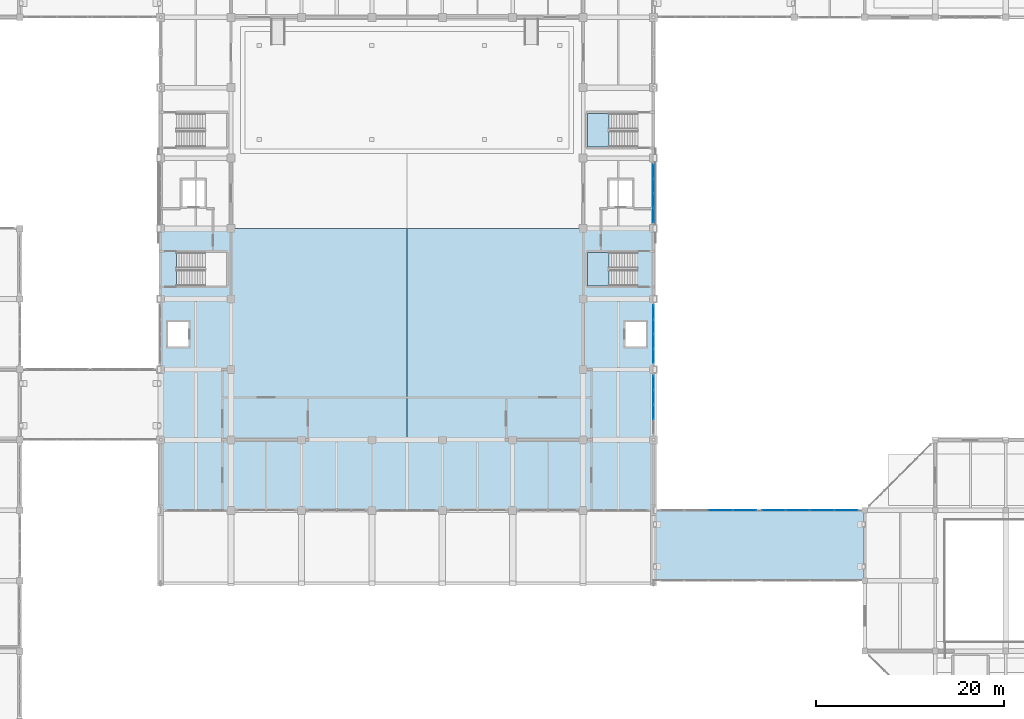
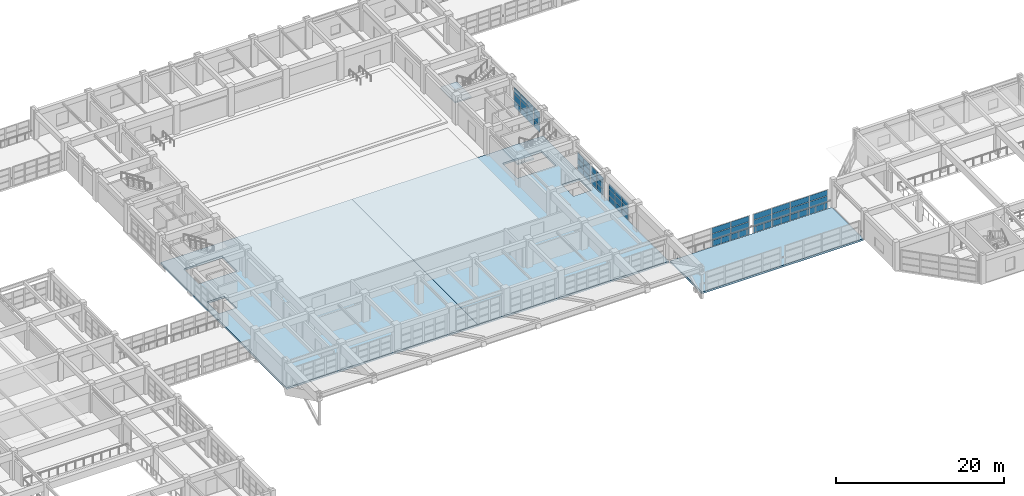
# One storey, part 87 of 132: 51 plates, 5 slabs, 7 elements without a shape of their own.
"""IFC4 building model written with IfcOpenShell, lengths in metres."""

from ifc_helpers import new_model, si_unit, direction, frame, origin, origin_2d, place, context, subcontext, project, spatial, polyline, rectangle, outline, extrude, material, layer, layer_set, type_object, element, aggregate, save


model = new_model("IFC4")

# Units and contexts
model_context = context("Model", 3, precision=1e-05, world=origin(), true_north=direction((0.0, 1.0)))
body_context = subcontext(model_context, "Body", "Model", "MODEL_VIEW")
ifc_project = project(units=[si_unit("LENGTHUNIT", "METRE"), si_unit("AREAUNIT", "SQUARE_METRE"), si_unit("VOLUMEUNIT", "CUBIC_METRE"), si_unit("PLANEANGLEUNIT", "RADIAN"), si_unit("MASSUNIT", "GRAM", prefix="KILO")], contexts=[model_context])

# Site, building, storey
site_placement = place(None, origin())
site = spatial("IfcSite", under=ifc_project, at=site_placement, CompositionType="ELEMENT")
building_placement = place(site_placement, origin())
building = spatial("IfcBuilding", under=site, at=building_placement, Name="Qasida Concert Hall", CompositionType="ELEMENT")
storey_placement = place(building_placement, frame((0.0, 0.0, 4.800048828125)))
storey = spatial("IfcBuildingStorey", under=building, at=storey_placement, Name="L01", CompositionType="ELEMENT", Elevation=4.800048828125)

# Curtain wall, plates
ifc_material_1 = material(Name="Architectural bronze-anodized aluminium and low-E glass", Category="aluminium")
curtain_wall_type_1 = type_object("IfcCurtainWallType", Name="CW-02", PredefinedType="NOTDEFINED", material=ifc_material_1)
curtain_wall_1_placement = place(storey_placement, origin())
curtain_wall_1 = element("IfcCurtainWall", 1, at=curtain_wall_1_placement, inside=storey, type_object=curtain_wall_type_1, Name="L01 curtain wall CW-02 0041", PredefinedType="NOTDEFINED")
ifc_material_2 = material(Name="Solar-control low-E double glazing", Category="glass")
ifc_layer_1 = layer(ifc_material_2, 0.035888671875, Name="Solar-control low-E double glazing")
ifc_layer_set_1 = layer_set([ifc_layer_1], Name="Solar-control low-E double glazing")
plate_type_1 = type_object("IfcPlateType", Name="PLT-CWP-1", PredefinedType="CURTAIN_PANEL", material=ifc_layer_set_1)
plate_1_placement = place(storey_placement, frame((105.0, 32.967529296875, 0.06494140625), z_axis=(0.0, 0.0, 1.0), x_axis=(0.0, 1.0, 0.0)))
plate_1 = element("IfcPlate", 2, at=plate_1_placement, type_object=plate_type_1, Name="CW-02 panel 2.1", PredefinedType="CURTAIN_PANEL", context=body_context, shape_type="SweptSolid", body=[
    extrude(rectangle(XDim=1.4951171875, YDim=0.035888671875, at=origin_2d()), origin(), (0.0, 0.0, 1.0), 0.79931640625),
])
plate_2_placement = place(storey_placement, frame((105.0, 32.967529296875, 0.92919921875), z_axis=(0.0, 0.0, 1.0), x_axis=(0.0, 1.0, 0.0)))
plate_2 = element("IfcPlate", 3, at=plate_2_placement, type_object=plate_type_1, Name="CW-02 panel 2.2", PredefinedType="CURTAIN_PANEL", context=body_context, shape_type="SweptSolid", body=[
    extrude(rectangle(XDim=1.4951171875, YDim=0.035888671875, at=origin_2d()), origin(), (0.0, 0.0, 1.0), 0.83154296875),
])
plate_3_placement = place(storey_placement, frame((105.0, 32.967529296875, 1.82568359375), z_axis=(0.0, 0.0, 1.0), x_axis=(0.0, 1.0, 0.0)))
plate_3 = element("IfcPlate", 4, at=plate_3_placement, type_object=plate_type_1, Name="CW-02 panel 2.3", PredefinedType="CURTAIN_PANEL", context=body_context, shape_type="SweptSolid", body=[
    extrude(rectangle(XDim=1.4951171875, YDim=0.035888671875, at=origin_2d()), origin(), (0.0, 0.0, 1.0), 0.79931640625),
])
plate_4_placement = place(storey_placement, frame((105.0, 34.532470703125, 0.06494140625), z_axis=(0.0, 0.0, 1.0), x_axis=(0.0, 1.0, 0.0)))
plate_4 = element("IfcPlate", 5, at=plate_4_placement, type_object=plate_type_1, Name="CW-02 panel 3.1", PredefinedType="CURTAIN_PANEL", context=body_context, shape_type="SweptSolid", body=[
    extrude(rectangle(XDim=1.4951171875, YDim=0.035888671875, at=origin_2d()), origin(), (0.0, 0.0, 1.0), 0.79931640625),
])
plate_5_placement = place(storey_placement, frame((105.0, 34.532470703125, 0.92919921875), z_axis=(0.0, 0.0, 1.0), x_axis=(0.0, 1.0, 0.0)))
plate_5 = element("IfcPlate", 6, at=plate_5_placement, type_object=plate_type_1, Name="CW-02 panel 3.2", PredefinedType="CURTAIN_PANEL", context=body_context, shape_type="SweptSolid", body=[
    extrude(rectangle(XDim=1.4951171875, YDim=0.035888671875, at=origin_2d()), origin(), (0.0, 0.0, 1.0), 0.83154296875),
])
plate_6_placement = place(storey_placement, frame((105.0, 34.532470703125, 1.82568359375), z_axis=(0.0, 0.0, 1.0), x_axis=(0.0, 1.0, 0.0)))
plate_6 = element("IfcPlate", 7, at=plate_6_placement, type_object=plate_type_1, Name="CW-02 panel 3.3", PredefinedType="CURTAIN_PANEL", context=body_context, shape_type="SweptSolid", body=[
    extrude(rectangle(XDim=1.4951171875, YDim=0.035888671875, at=origin_2d()), origin(), (0.0, 0.0, 1.0), 0.79931640625),
])
plate_7_placement = place(storey_placement, frame((105.0, 36.080078125, 0.06494140625), z_axis=(0.0, 0.0, 1.0), x_axis=(0.0, 1.0, 0.0)))
plate_7 = element("IfcPlate", 8, at=plate_7_placement, type_object=plate_type_1, Name="CW-02 panel 4.1", PredefinedType="CURTAIN_PANEL", context=body_context, shape_type="SweptSolid", body=[
    extrude(rectangle(XDim=1.4599609375, YDim=0.035888671875, at=origin_2d()), origin(), (0.0, 0.0, 1.0), 0.79931640625),
])
plate_8_placement = place(storey_placement, frame((105.0, 36.080078125, 0.92919921875), z_axis=(0.0, 0.0, 1.0), x_axis=(0.0, 1.0, 0.0)))
plate_8 = element("IfcPlate", 9, at=plate_8_placement, type_object=plate_type_1, Name="CW-02 panel 4.2", PredefinedType="CURTAIN_PANEL", context=body_context, shape_type="SweptSolid", body=[
    extrude(rectangle(XDim=1.4599609375, YDim=0.035888671875, at=origin_2d()), origin(), (0.0, 0.0, 1.0), 0.83154296875),
])
plate_9_placement = place(storey_placement, frame((105.0, 36.080078125, 1.82568359375), z_axis=(0.0, 0.0, 1.0), x_axis=(0.0, 1.0, 0.0)))
plate_9 = element("IfcPlate", 10, at=plate_9_placement, type_object=plate_type_1, Name="CW-02 panel 4.3", PredefinedType="CURTAIN_PANEL", context=body_context, shape_type="SweptSolid", body=[
    extrude(rectangle(XDim=1.4599609375, YDim=0.035888671875, at=origin_2d()), origin(), (0.0, 0.0, 1.0), 0.79931640625),
])
aggregate(curtain_wall_1, [plate_1, plate_2, plate_3, plate_4, plate_5, plate_6, plate_7, plate_8, plate_9])

curtain_wall_2_placement = place(storey_placement, origin())
curtain_wall_2 = element("IfcCurtainWall", 11, at=curtain_wall_2_placement, inside=storey, type_object=curtain_wall_type_1, Name="L01 curtain wall CW-02 0043", PredefinedType="NOTDEFINED")
plate_10_placement = place(storey_placement, frame((105.0, 38.919921875, 0.06494140625), z_axis=(0.0, 0.0, 1.0), x_axis=(0.0, 1.0, 0.0)))
plate_10 = element("IfcPlate", 12, at=plate_10_placement, type_object=plate_type_1, Name="CW-02 panel 1.1", PredefinedType="CURTAIN_PANEL", context=body_context, shape_type="SweptSolid", body=[
    extrude(rectangle(XDim=1.4599609375, YDim=0.035888671875, at=origin_2d()), origin(), (0.0, 0.0, 1.0), 0.79931640625),
])
plate_11_placement = place(storey_placement, frame((105.0, 38.919921875, 0.92919921875), z_axis=(0.0, 0.0, 1.0), x_axis=(0.0, 1.0, 0.0)))
plate_11 = element("IfcPlate", 13, at=plate_11_placement, type_object=plate_type_1, Name="CW-02 panel 1.2", PredefinedType="CURTAIN_PANEL", context=body_context, shape_type="SweptSolid", body=[
    extrude(rectangle(XDim=1.4599609375, YDim=0.035888671875, at=origin_2d()), origin(), (0.0, 0.0, 1.0), 0.83154296875),
])
plate_12_placement = place(storey_placement, frame((105.0, 38.919921875, 1.82568359375), z_axis=(0.0, 0.0, 1.0), x_axis=(0.0, 1.0, 0.0)))
plate_12 = element("IfcPlate", 14, at=plate_12_placement, type_object=plate_type_1, Name="CW-02 panel 1.3", PredefinedType="CURTAIN_PANEL", context=body_context, shape_type="SweptSolid", body=[
    extrude(rectangle(XDim=1.4599609375, YDim=0.035888671875, at=origin_2d()), origin(), (0.0, 0.0, 1.0), 0.79931640625),
])
plate_13_placement = place(storey_placement, frame((105.0, 40.467529296875, 0.06494140625), z_axis=(0.0, 0.0, 1.0), x_axis=(0.0, 1.0, 0.0)))
plate_13 = element("IfcPlate", 15, at=plate_13_placement, type_object=plate_type_1, Name="CW-02 panel 2.1", PredefinedType="CURTAIN_PANEL", context=body_context, shape_type="SweptSolid", body=[
    extrude(rectangle(XDim=1.4951171875, YDim=0.035888671875, at=origin_2d()), origin(), (0.0, 0.0, 1.0), 0.79931640625),
])
plate_14_placement = place(storey_placement, frame((105.0, 40.467529296875, 0.92919921875), z_axis=(0.0, 0.0, 1.0), x_axis=(0.0, 1.0, 0.0)))
plate_14 = element("IfcPlate", 16, at=plate_14_placement, type_object=plate_type_1, Name="CW-02 panel 2.2", PredefinedType="CURTAIN_PANEL", context=body_context, shape_type="SweptSolid", body=[
    extrude(rectangle(XDim=1.4951171875, YDim=0.035888671875, at=origin_2d()), origin(), (0.0, 0.0, 1.0), 0.83154296875),
])
plate_15_placement = place(storey_placement, frame((105.0, 40.467529296875, 1.82568359375), z_axis=(0.0, 0.0, 1.0), x_axis=(0.0, 1.0, 0.0)))
plate_15 = element("IfcPlate", 17, at=plate_15_placement, type_object=plate_type_1, Name="CW-02 panel 2.3", PredefinedType="CURTAIN_PANEL", context=body_context, shape_type="SweptSolid", body=[
    extrude(rectangle(XDim=1.4951171875, YDim=0.035888671875, at=origin_2d()), origin(), (0.0, 0.0, 1.0), 0.79931640625),
])
plate_16_placement = place(storey_placement, frame((105.0, 42.032470703125, 0.06494140625), z_axis=(0.0, 0.0, 1.0), x_axis=(0.0, 1.0, 0.0)))
plate_16 = element("IfcPlate", 18, at=plate_16_placement, type_object=plate_type_1, Name="CW-02 panel 3.1", PredefinedType="CURTAIN_PANEL", context=body_context, shape_type="SweptSolid", body=[
    extrude(rectangle(XDim=1.4951171875, YDim=0.035888671875, at=origin_2d()), origin(), (0.0, 0.0, 1.0), 0.79931640625),
])
plate_17_placement = place(storey_placement, frame((105.0, 42.032470703125, 0.92919921875), z_axis=(0.0, 0.0, 1.0), x_axis=(0.0, 1.0, 0.0)))
plate_17 = element("IfcPlate", 19, at=plate_17_placement, type_object=plate_type_1, Name="CW-02 panel 3.2", PredefinedType="CURTAIN_PANEL", context=body_context, shape_type="SweptSolid", body=[
    extrude(rectangle(XDim=1.4951171875, YDim=0.035888671875, at=origin_2d()), origin(), (0.0, 0.0, 1.0), 0.83154296875),
])
plate_18_placement = place(storey_placement, frame((105.0, 42.032470703125, 1.82568359375), z_axis=(0.0, 0.0, 1.0), x_axis=(0.0, 1.0, 0.0)))
plate_18 = element("IfcPlate", 20, at=plate_18_placement, type_object=plate_type_1, Name="CW-02 panel 3.3", PredefinedType="CURTAIN_PANEL", context=body_context, shape_type="SweptSolid", body=[
    extrude(rectangle(XDim=1.4951171875, YDim=0.035888671875, at=origin_2d()), origin(), (0.0, 0.0, 1.0), 0.79931640625),
])
plate_19_placement = place(storey_placement, frame((105.0, 43.580078125, 0.06494140625), z_axis=(0.0, 0.0, 1.0), x_axis=(0.0, 1.0, 0.0)))
plate_19 = element("IfcPlate", 21, at=plate_19_placement, type_object=plate_type_1, Name="CW-02 panel 4.1", PredefinedType="CURTAIN_PANEL", context=body_context, shape_type="SweptSolid", body=[
    extrude(rectangle(XDim=1.4599609375, YDim=0.035888671875, at=origin_2d()), origin(), (0.0, 0.0, 1.0), 0.79931640625),
])
plate_20_placement = place(storey_placement, frame((105.0, 43.580078125, 0.92919921875), z_axis=(0.0, 0.0, 1.0), x_axis=(0.0, 1.0, 0.0)))
plate_20 = element("IfcPlate", 22, at=plate_20_placement, type_object=plate_type_1, Name="CW-02 panel 4.2", PredefinedType="CURTAIN_PANEL", context=body_context, shape_type="SweptSolid", body=[
    extrude(rectangle(XDim=1.4599609375, YDim=0.035888671875, at=origin_2d()), origin(), (0.0, 0.0, 1.0), 0.83154296875),
])
plate_21_placement = place(storey_placement, frame((105.0, 43.580078125, 1.82568359375), z_axis=(0.0, 0.0, 1.0), x_axis=(0.0, 1.0, 0.0)))
plate_21 = element("IfcPlate", 23, at=plate_21_placement, type_object=plate_type_1, Name="CW-02 panel 4.3", PredefinedType="CURTAIN_PANEL", context=body_context, shape_type="SweptSolid", body=[
    extrude(rectangle(XDim=1.4599609375, YDim=0.035888671875, at=origin_2d()), origin(), (0.0, 0.0, 1.0), 0.79931640625),
])
aggregate(curtain_wall_2, [plate_10, plate_11, plate_12, plate_13, plate_14, plate_15, plate_16, plate_17, plate_18, plate_19, plate_20, plate_21])

curtain_wall_3_placement = place(storey_placement, origin())
curtain_wall_3 = element("IfcCurtainWall", 24, at=curtain_wall_3_placement, inside=storey, type_object=curtain_wall_type_1, Name="L01 curtain wall CW-02 0045", PredefinedType="NOTDEFINED")
plate_22_placement = place(storey_placement, frame((105.0, 53.919921875, 0.06494140625), z_axis=(0.0, 0.0, 1.0), x_axis=(0.0, 1.0, 0.0)))
plate_22 = element("IfcPlate", 25, at=plate_22_placement, type_object=plate_type_1, Name="CW-02 panel 1.1", PredefinedType="CURTAIN_PANEL", context=body_context, shape_type="SweptSolid", body=[
    extrude(rectangle(XDim=1.4599609375, YDim=0.035888671875, at=origin_2d()), origin(), (0.0, 0.0, 1.0), 0.899169921875),
])
plate_23_placement = place(storey_placement, frame((105.0, 53.919921875, 1.029052734375), z_axis=(0.0, 0.0, 1.0), x_axis=(0.0, 1.0, 0.0)))
plate_23 = element("IfcPlate", 26, at=plate_23_placement, type_object=plate_type_1, Name="CW-02 panel 1.2", PredefinedType="CURTAIN_PANEL", context=body_context, shape_type="SweptSolid", body=[
    extrude(rectangle(XDim=1.4599609375, YDim=0.035888671875, at=origin_2d()), origin(), (0.0, 0.0, 1.0), 0.931640625),
])
plate_24_placement = place(storey_placement, frame((105.0, 53.919921875, 2.02587890625), z_axis=(0.0, 0.0, 1.0), x_axis=(0.0, 1.0, 0.0)))
plate_24 = element("IfcPlate", 27, at=plate_24_placement, type_object=plate_type_1, Name="CW-02 panel 1.3", PredefinedType="CURTAIN_PANEL", context=body_context, shape_type="SweptSolid", body=[
    extrude(rectangle(XDim=1.4599609375, YDim=0.035888671875, at=origin_2d()), origin(), (0.0, 0.0, 1.0), 0.899169921875),
])
plate_25_placement = place(storey_placement, frame((105.0, 55.467529296875, 0.06494140625), z_axis=(0.0, 0.0, 1.0), x_axis=(0.0, 1.0, 0.0)))
plate_25 = element("IfcPlate", 28, at=plate_25_placement, type_object=plate_type_1, Name="CW-02 panel 2.1", PredefinedType="CURTAIN_PANEL", context=body_context, shape_type="SweptSolid", body=[
    extrude(rectangle(XDim=1.4951171875, YDim=0.035888671875, at=origin_2d()), origin(), (0.0, 0.0, 1.0), 0.899169921875),
])
plate_26_placement = place(storey_placement, frame((105.0, 55.467529296875, 1.029052734375), z_axis=(0.0, 0.0, 1.0), x_axis=(0.0, 1.0, 0.0)))
plate_26 = element("IfcPlate", 29, at=plate_26_placement, type_object=plate_type_1, Name="CW-02 panel 2.2", PredefinedType="CURTAIN_PANEL", context=body_context, shape_type="SweptSolid", body=[
    extrude(rectangle(XDim=1.4951171875, YDim=0.035888671875, at=origin_2d()), origin(), (0.0, 0.0, 1.0), 0.931640625),
])
plate_27_placement = place(storey_placement, frame((105.0, 55.467529296875, 2.02587890625), z_axis=(0.0, 0.0, 1.0), x_axis=(0.0, 1.0, 0.0)))
plate_27 = element("IfcPlate", 30, at=plate_27_placement, type_object=plate_type_1, Name="CW-02 panel 2.3", PredefinedType="CURTAIN_PANEL", context=body_context, shape_type="SweptSolid", body=[
    extrude(rectangle(XDim=1.4951171875, YDim=0.035888671875, at=origin_2d()), origin(), (0.0, 0.0, 1.0), 0.899169921875),
])
plate_28_placement = place(storey_placement, frame((105.0, 57.032470703125, 0.06494140625), z_axis=(0.0, 0.0, 1.0), x_axis=(0.0, 1.0, 0.0)))
plate_28 = element("IfcPlate", 31, at=plate_28_placement, type_object=plate_type_1, Name="CW-02 panel 3.1", PredefinedType="CURTAIN_PANEL", context=body_context, shape_type="SweptSolid", body=[
    extrude(rectangle(XDim=1.4951171875, YDim=0.035888671875, at=origin_2d()), origin(), (0.0, 0.0, 1.0), 0.899169921875),
])
plate_29_placement = place(storey_placement, frame((105.0, 57.032470703125, 1.029052734375), z_axis=(0.0, 0.0, 1.0), x_axis=(0.0, 1.0, 0.0)))
plate_29 = element("IfcPlate", 32, at=plate_29_placement, type_object=plate_type_1, Name="CW-02 panel 3.2", PredefinedType="CURTAIN_PANEL", context=body_context, shape_type="SweptSolid", body=[
    extrude(rectangle(XDim=1.4951171875, YDim=0.035888671875, at=origin_2d()), origin(), (0.0, 0.0, 1.0), 0.931640625),
])
plate_30_placement = place(storey_placement, frame((105.0, 57.032470703125, 2.02587890625), z_axis=(0.0, 0.0, 1.0), x_axis=(0.0, 1.0, 0.0)))
plate_30 = element("IfcPlate", 33, at=plate_30_placement, type_object=plate_type_1, Name="CW-02 panel 3.3", PredefinedType="CURTAIN_PANEL", context=body_context, shape_type="SweptSolid", body=[
    extrude(rectangle(XDim=1.4951171875, YDim=0.035888671875, at=origin_2d()), origin(), (0.0, 0.0, 1.0), 0.899169921875),
])
plate_31_placement = place(storey_placement, frame((105.0, 58.580078125, 0.06494140625), z_axis=(0.0, 0.0, 1.0), x_axis=(0.0, 1.0, 0.0)))
plate_31 = element("IfcPlate", 34, at=plate_31_placement, type_object=plate_type_1, Name="CW-02 panel 4.1", PredefinedType="CURTAIN_PANEL", context=body_context, shape_type="SweptSolid", body=[
    extrude(rectangle(XDim=1.4599609375, YDim=0.035888671875, at=origin_2d()), origin(), (0.0, 0.0, 1.0), 0.899169921875),
])
plate_32_placement = place(storey_placement, frame((105.0, 58.580078125, 1.029052734375), z_axis=(0.0, 0.0, 1.0), x_axis=(0.0, 1.0, 0.0)))
plate_32 = element("IfcPlate", 35, at=plate_32_placement, type_object=plate_type_1, Name="CW-02 panel 4.2", PredefinedType="CURTAIN_PANEL", context=body_context, shape_type="SweptSolid", body=[
    extrude(rectangle(XDim=1.4599609375, YDim=0.035888671875, at=origin_2d()), origin(), (0.0, 0.0, 1.0), 0.931640625),
])
plate_33_placement = place(storey_placement, frame((105.0, 58.580078125, 2.02587890625), z_axis=(0.0, 0.0, 1.0), x_axis=(0.0, 1.0, 0.0)))
plate_33 = element("IfcPlate", 36, at=plate_33_placement, type_object=plate_type_1, Name="CW-02 panel 4.3", PredefinedType="CURTAIN_PANEL", context=body_context, shape_type="SweptSolid", body=[
    extrude(rectangle(XDim=1.4599609375, YDim=0.035888671875, at=origin_2d()), origin(), (0.0, 0.0, 1.0), 0.899169921875),
])
aggregate(curtain_wall_3, [plate_22, plate_23, plate_24, plate_25, plate_26, plate_27, plate_28, plate_29, plate_30, plate_31, plate_32, plate_33])

curtain_wall_type_2 = type_object("IfcCurtainWallType", Name="CW-07", PredefinedType="NOTDEFINED", material=ifc_material_1)
curtain_wall_4_placement = place(storey_placement, origin())
curtain_wall_4 = element("IfcCurtainWall", 37, at=curtain_wall_4_placement, inside=storey, type_object=curtain_wall_type_2, Name="L01 link bridge glazing 0235", PredefinedType="NOTDEFINED")
ifc_layer_2 = layer(ifc_material_2, 0.031982421875, Name="Solar-control low-E double glazing")
ifc_layer_set_2 = layer_set([ifc_layer_2], Name="Solar-control low-E double glazing")
plate_type_2 = type_object("IfcPlateType", Name="PLT-CWP-2", PredefinedType="CURTAIN_PANEL", material=ifc_layer_set_2)
plate_34_placement = place(storey_placement, frame((112.137451171875, 22.5, 0.06005859375), z_axis=(0.0, 0.0, 1.0), x_axis=(1.0, 0.0, 0.0)))
plate_34 = element("IfcPlate", 38, at=plate_34_placement, type_object=plate_type_2, Name="CW-07 panel 3.1", PredefinedType="CURTAIN_PANEL", context=body_context, shape_type="SweptSolid", body=[
    extrude(rectangle(XDim=2.510009765625, YDim=0.031982421875, at=origin_2d()), origin(), (0.0, 0.0, 1.0), 0.860107421875),
])
plate_35_placement = place(storey_placement, frame((112.137451171875, 22.5, 0.97998046875), z_axis=(0.0, 0.0, 1.0), x_axis=(1.0, 0.0, 0.0)))
plate_35 = element("IfcPlate", 39, at=plate_35_placement, type_object=plate_type_2, Name="CW-07 panel 3.2", PredefinedType="CURTAIN_PANEL", context=body_context, shape_type="SweptSolid", body=[
    extrude(rectangle(XDim=2.510009765625, YDim=0.031982421875, at=origin_2d()), origin(), (0.0, 0.0, 1.0), 0.889892578125),
])
plate_36_placement = place(storey_placement, frame((112.137451171875, 22.5, 1.929931640625), z_axis=(0.0, 0.0, 1.0), x_axis=(1.0, 0.0, 0.0)))
plate_36 = element("IfcPlate", 40, at=plate_36_placement, type_object=plate_type_2, Name="CW-07 panel 3.3", PredefinedType="CURTAIN_PANEL", context=body_context, shape_type="SweptSolid", body=[
    extrude(rectangle(XDim=2.510009765625, YDim=0.031982421875, at=origin_2d()), origin(), (0.0, 0.0, 1.0), 0.81005859375),
])
plate_37_placement = place(storey_placement, frame((114.6962890625, 22.5, 0.06005859375), z_axis=(0.0, 0.0, 1.0), x_axis=(1.0, 0.0, 0.0)))
plate_37 = element("IfcPlate", 41, at=plate_37_placement, type_object=plate_type_2, Name="CW-07 panel 4.1", PredefinedType="CURTAIN_PANEL", context=body_context, shape_type="SweptSolid", body=[
    extrude(rectangle(XDim=2.4775390625, YDim=0.031982421875, at=origin_2d()), origin(), (0.0, 0.0, 1.0), 0.860107421875),
])
plate_38_placement = place(storey_placement, frame((114.6962890625, 22.5, 0.97998046875), z_axis=(0.0, 0.0, 1.0), x_axis=(1.0, 0.0, 0.0)))
plate_38 = element("IfcPlate", 42, at=plate_38_placement, type_object=plate_type_2, Name="CW-07 panel 4.2", PredefinedType="CURTAIN_PANEL", context=body_context, shape_type="SweptSolid", body=[
    extrude(rectangle(XDim=2.4775390625, YDim=0.031982421875, at=origin_2d()), origin(), (0.0, 0.0, 1.0), 0.889892578125),
])
plate_39_placement = place(storey_placement, frame((114.6962890625, 22.5, 1.929931640625), z_axis=(0.0, 0.0, 1.0), x_axis=(1.0, 0.0, 0.0)))
plate_39 = element("IfcPlate", 43, at=plate_39_placement, type_object=plate_type_2, Name="CW-07 panel 4.3", PredefinedType="CURTAIN_PANEL", context=body_context, shape_type="SweptSolid", body=[
    extrude(rectangle(XDim=2.4775390625, YDim=0.031982421875, at=origin_2d()), origin(), (0.0, 0.0, 1.0), 0.81005859375),
])
aggregate(curtain_wall_4, [plate_34, plate_35, plate_36, plate_37, plate_38, plate_39])

curtain_wall_5_placement = place(storey_placement, origin())
curtain_wall_5 = element("IfcCurtainWall", 44, at=curtain_wall_5_placement, inside=storey, type_object=curtain_wall_type_2, Name="L01 link bridge glazing 0237", PredefinedType="NOTDEFINED")
plate_40_placement = place(storey_placement, frame((117.8037109375, 22.5, 0.06005859375), z_axis=(0.0, 0.0, 1.0), x_axis=(1.0, 0.0, 0.0)))
plate_40 = element("IfcPlate", 45, at=plate_40_placement, type_object=plate_type_2, Name="CW-07 panel 1.1", PredefinedType="CURTAIN_PANEL", context=body_context, shape_type="SweptSolid", body=[
    extrude(rectangle(XDim=2.4775390625, YDim=0.031982421875, at=origin_2d()), origin(), (0.0, 0.0, 1.0), 0.860107421875),
])
plate_41_placement = place(storey_placement, frame((117.8037109375, 22.5, 0.97998046875), z_axis=(0.0, 0.0, 1.0), x_axis=(1.0, 0.0, 0.0)))
plate_41 = element("IfcPlate", 46, at=plate_41_placement, type_object=plate_type_2, Name="CW-07 panel 1.2", PredefinedType="CURTAIN_PANEL", context=body_context, shape_type="SweptSolid", body=[
    extrude(rectangle(XDim=2.4775390625, YDim=0.031982421875, at=origin_2d()), origin(), (0.0, 0.0, 1.0), 0.889892578125),
])
plate_42_placement = place(storey_placement, frame((117.8037109375, 22.5, 1.929931640625), z_axis=(0.0, 0.0, 1.0), x_axis=(1.0, 0.0, 0.0)))
plate_42 = element("IfcPlate", 47, at=plate_42_placement, type_object=plate_type_2, Name="CW-07 panel 1.3", PredefinedType="CURTAIN_PANEL", context=body_context, shape_type="SweptSolid", body=[
    extrude(rectangle(XDim=2.4775390625, YDim=0.031982421875, at=origin_2d()), origin(), (0.0, 0.0, 1.0), 0.81005859375),
])
plate_43_placement = place(storey_placement, frame((120.362548828125, 22.5, 0.06005859375), z_axis=(0.0, 0.0, 1.0), x_axis=(1.0, 0.0, 0.0)))
plate_43 = element("IfcPlate", 48, at=plate_43_placement, type_object=plate_type_2, Name="CW-07 panel 2.1", PredefinedType="CURTAIN_PANEL", context=body_context, shape_type="SweptSolid", body=[
    extrude(rectangle(XDim=2.510009765625, YDim=0.031982421875, at=origin_2d()), origin(), (0.0, 0.0, 1.0), 0.860107421875),
])
plate_44_placement = place(storey_placement, frame((120.362548828125, 22.5, 0.97998046875), z_axis=(0.0, 0.0, 1.0), x_axis=(1.0, 0.0, 0.0)))
plate_44 = element("IfcPlate", 49, at=plate_44_placement, type_object=plate_type_2, Name="CW-07 panel 2.2", PredefinedType="CURTAIN_PANEL", context=body_context, shape_type="SweptSolid", body=[
    extrude(rectangle(XDim=2.510009765625, YDim=0.031982421875, at=origin_2d()), origin(), (0.0, 0.0, 1.0), 0.889892578125),
])
plate_45_placement = place(storey_placement, frame((120.362548828125, 22.5, 1.929931640625), z_axis=(0.0, 0.0, 1.0), x_axis=(1.0, 0.0, 0.0)))
plate_45 = element("IfcPlate", 50, at=plate_45_placement, type_object=plate_type_2, Name="CW-07 panel 2.3", PredefinedType="CURTAIN_PANEL", context=body_context, shape_type="SweptSolid", body=[
    extrude(rectangle(XDim=2.510009765625, YDim=0.031982421875, at=origin_2d()), origin(), (0.0, 0.0, 1.0), 0.81005859375),
])
plate_46_placement = place(storey_placement, frame((122.9375, 22.5, 0.06005859375), z_axis=(0.0, 0.0, 1.0), x_axis=(1.0, 0.0, 0.0)))
plate_46 = element("IfcPlate", 51, at=plate_46_placement, type_object=plate_type_2, Name="CW-07 panel 3.1", PredefinedType="CURTAIN_PANEL", context=body_context, shape_type="SweptSolid", body=[
    extrude(rectangle(XDim=2.510009765625, YDim=0.031982421875, at=origin_2d()), origin(), (0.0, 0.0, 1.0), 0.860107421875),
])
plate_47_placement = place(storey_placement, frame((122.9375, 22.5, 0.97998046875), z_axis=(0.0, 0.0, 1.0), x_axis=(1.0, 0.0, 0.0)))
plate_47 = element("IfcPlate", 52, at=plate_47_placement, type_object=plate_type_2, Name="CW-07 panel 3.2", PredefinedType="CURTAIN_PANEL", context=body_context, shape_type="SweptSolid", body=[
    extrude(rectangle(XDim=2.510009765625, YDim=0.031982421875, at=origin_2d()), origin(), (0.0, 0.0, 1.0), 0.889892578125),
])
plate_48_placement = place(storey_placement, frame((122.9375, 22.5, 1.929931640625), z_axis=(0.0, 0.0, 1.0), x_axis=(1.0, 0.0, 0.0)))
plate_48 = element("IfcPlate", 53, at=plate_48_placement, type_object=plate_type_2, Name="CW-07 panel 3.3", PredefinedType="CURTAIN_PANEL", context=body_context, shape_type="SweptSolid", body=[
    extrude(rectangle(XDim=2.510009765625, YDim=0.031982421875, at=origin_2d()), origin(), (0.0, 0.0, 1.0), 0.81005859375),
])
plate_49_placement = place(storey_placement, frame((125.496337890625, 22.5, 0.06005859375), z_axis=(0.0, 0.0, 1.0), x_axis=(1.0, 0.0, 0.0)))
plate_49 = element("IfcPlate", 54, at=plate_49_placement, type_object=plate_type_2, Name="CW-07 panel 4.1", PredefinedType="CURTAIN_PANEL", context=body_context, shape_type="SweptSolid", body=[
    extrude(rectangle(XDim=2.4775390625, YDim=0.031982421875, at=origin_2d()), origin(), (0.0, 0.0, 1.0), 0.860107421875),
])
plate_50_placement = place(storey_placement, frame((125.496337890625, 22.5, 0.97998046875), z_axis=(0.0, 0.0, 1.0), x_axis=(1.0, 0.0, 0.0)))
plate_50 = element("IfcPlate", 55, at=plate_50_placement, type_object=plate_type_2, Name="CW-07 panel 4.2", PredefinedType="CURTAIN_PANEL", context=body_context, shape_type="SweptSolid", body=[
    extrude(rectangle(XDim=2.4775390625, YDim=0.031982421875, at=origin_2d()), origin(), (0.0, 0.0, 1.0), 0.889892578125),
])
plate_51_placement = place(storey_placement, frame((125.496337890625, 22.5, 1.929931640625), z_axis=(0.0, 0.0, 1.0), x_axis=(1.0, 0.0, 0.0)))
plate_51 = element("IfcPlate", 56, at=plate_51_placement, type_object=plate_type_2, Name="CW-07 panel 4.3", PredefinedType="CURTAIN_PANEL", context=body_context, shape_type="SweptSolid", body=[
    extrude(rectangle(XDim=2.4775390625, YDim=0.031982421875, at=origin_2d()), origin(), (0.0, 0.0, 1.0), 0.81005859375),
])
aggregate(curtain_wall_5, [plate_40, plate_41, plate_42, plate_43, plate_44, plate_45, plate_46, plate_47, plate_48, plate_49, plate_50, plate_51])

# Slabs
ifc_material_3 = material(Name="Concrete C40/50", Category="concrete")
ifc_layer_3 = layer(ifc_material_3, 0.280029296875, Name="Concrete C40/50")
ifc_layer_set_3 = layer_set([ifc_layer_3], Name="Concrete C40/50")
slab_type_1 = type_object("IfcSlabType", Name="SL-FS-280", PredefinedType="FLOOR", material=ifc_layer_set_3)
slab_1_placement = place(storey_placement, frame((0.0, 0.0, -0.280029296875)))
element("IfcSlab", 57, at=slab_1_placement, inside=storey, type_object=slab_type_1, Name="V1 stalls south-west (FS-280)", PredefinedType="FLOOR", context=body_context, shape_type="SweptSolid", body=[
    extrude(outline(polyline([(52.5, 22.5), (78.75, 22.5), (78.75, 52.5), (52.5, 52.5), (52.5, 22.5)]), holes=[polyline([(53.199951171875, 39.85009765625), (55.60009765625, 39.85009765625), (55.60009765625, 42.64990234375), (53.199951171875, 42.64990234375), (53.199951171875, 39.85009765625)]), polyline([(54.18994140625, 46.39990234375), (59.52001953125, 46.39990234375), (59.52001953125, 49.9599609375), (54.18994140625, 49.9599609375), (54.18994140625, 46.39990234375)])]), origin(), (0.0, 0.0, 1.0), 0.280029296875),
])
slab_2_placement = place(storey_placement, frame((0.0, 0.0, -0.280029296875)))
element("IfcSlab", 58, at=slab_2_placement, inside=storey, type_object=slab_type_1, Name="V1 stalls south-east (FS-280)", PredefinedType="FLOOR", context=body_context, shape_type="SweptSolid", body=[
    extrude(outline(polyline([(78.75, 22.5), (105.0, 22.5), (105.0, 52.5), (78.75, 52.5), (78.75, 22.5)]), holes=[polyline([(101.89990234375, 39.85009765625), (104.300048828125, 39.85009765625), (104.300048828125, 42.64990234375), (101.89990234375, 42.64990234375), (101.89990234375, 39.85009765625)]), polyline([(97.97998046875, 46.39990234375), (103.31005859375, 46.39990234375), (103.31005859375, 49.9599609375), (97.97998046875, 49.9599609375), (97.97998046875, 46.39990234375)])]), origin(), (0.0, 0.0, 1.0), 0.280029296875),
])
slab_3_placement = place(storey_placement, frame((0.0, 0.0, -0.280029296875)))
element("IfcSlab", 59, at=slab_3_placement, inside=storey, type_object=slab_type_1, Name="Link V1-V2 bridge (FS-280)", PredefinedType="FLOOR", context=body_context, shape_type="SweptSolid", body=[
    extrude(outline(polyline([(105.14990234375, 15.0), (127.35009765625, 15.0), (127.35009765625, 22.5), (105.14990234375, 22.5), (105.14990234375, 15.0)])), origin(), (0.0, 0.0, 1.0), 0.280029296875),
])

# Stair, slab
stair_type = type_object("IfcStairType", Name="ST-DL-168", PredefinedType="HALF_TURN_STAIR", material=ifc_material_3)
stair_1_placement = place(storey_placement, origin())
stair_1 = element("IfcStair", 60, at=stair_1_placement, inside=storey, type_object=stair_type, Name="L01 Exit stair ST-02", PredefinedType="HALF_TURN_STAIR")
ifc_layer_4 = layer(ifc_material_3, 0.199951171875, Name="Concrete C40/50")
ifc_layer_set_4 = layer_set([ifc_layer_4], Name="Concrete C40/50")
slab_type_2 = type_object("IfcSlabType", Name="SL-LND-200", PredefinedType="LANDING", material=ifc_layer_set_4)
slab_4_placement = place(storey_placement, frame((0.0, 0.0, 1.89990234375)))
slab_4 = element("IfcSlab", 61, at=slab_4_placement, type_object=slab_type_2, Name="ST-02 landing 1", PredefinedType="LANDING", context=body_context, shape_type="SweptSolid", body=[
    extrude(outline(polyline([(100.239990234375, 49.9599609375), (97.97998046875, 49.9599609375), (97.97998046875, 46.39990234375), (100.239990234375, 46.39990234375), (100.239990234375, 49.9599609375)])), origin(), (0.0, 0.0, 1.0), 0.199951171875),
])
aggregate(stair_1, [slab_4])

stair_2_placement = place(storey_placement, origin())
stair_2 = element("IfcStair", 62, at=stair_2_placement, inside=storey, type_object=stair_type, Name="L01 Exit stair ST-12", PredefinedType="HALF_TURN_STAIR")
slab_5_placement = place(storey_placement, frame((0.0, 0.0, 1.89990234375)))
slab_5 = element("IfcSlab", 63, at=slab_5_placement, type_object=slab_type_2, Name="ST-12 landing 1", PredefinedType="LANDING", context=body_context, shape_type="SweptSolid", body=[
    extrude(outline(polyline([(100.239990234375, 64.760009765625), (97.97998046875, 64.760009765625), (97.97998046875, 61.199951171875), (100.239990234375, 61.199951171875), (100.239990234375, 64.760009765625)])), origin(), (0.0, 0.0, 1.0), 0.199951171875),
])
aggregate(stair_2, [slab_5])

save(model, "model.ifc")
